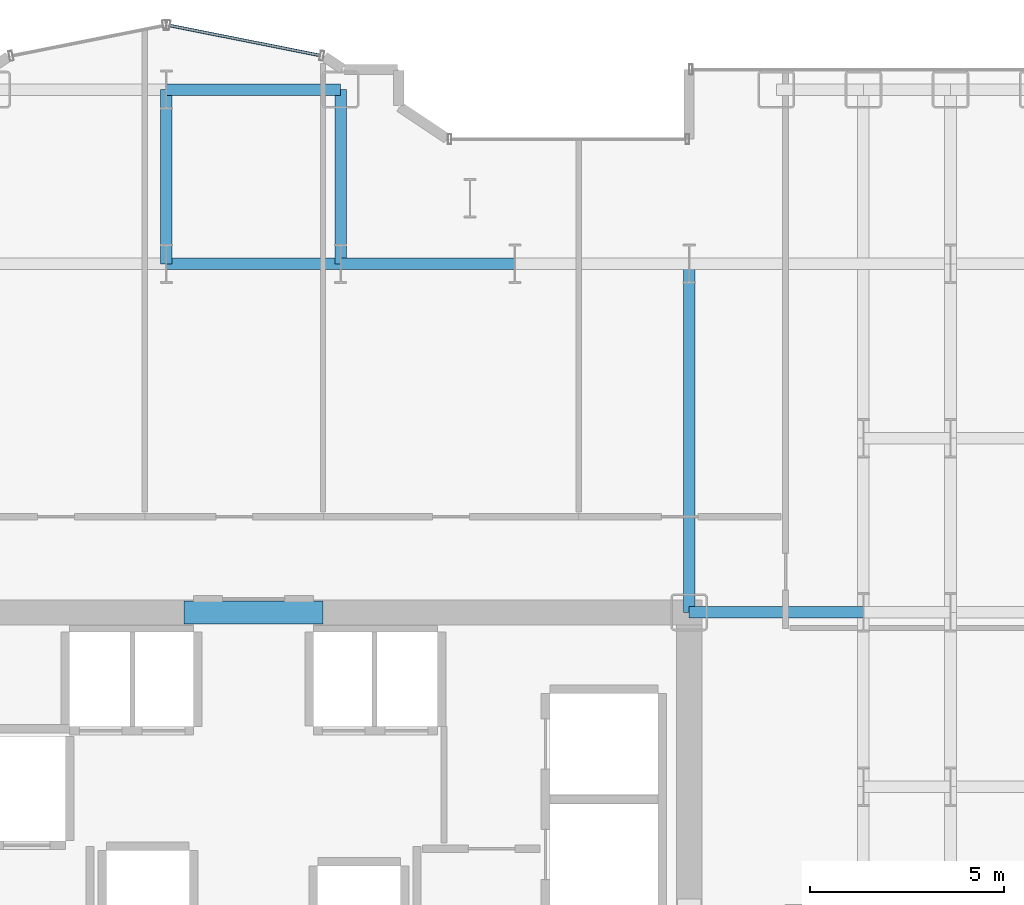
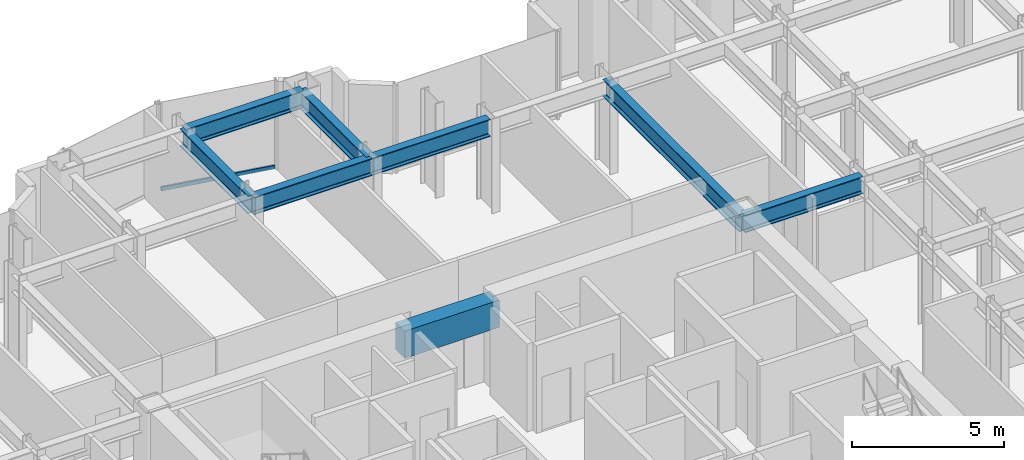
# One storey, part 11 of 25: 8 beams, 1 member, 1 element without a shape of its own.
"""IFC4 building model written with IfcOpenShell, lengths in metres."""

from ifc_helpers import new_model, si_unit, direction, frame, origin, origin_2d, place, context, subcontext, project, spatial, rectangle, hollow_rectangle, i_section, extrude, source, transform, mapped, material, layer, layer_set, material_profile, profile_set, type_object, element, aggregate, save


model = new_model("IFC4")

# Units and contexts
model_context = context("Model", 3, precision=1e-05, world=origin(), true_north=direction((0.0, 1.0)))
body_context = subcontext(model_context, "Body", "Model", "MODEL_VIEW")
ifc_project = project(units=[si_unit("LENGTHUNIT", "METRE"), si_unit("AREAUNIT", "SQUARE_METRE"), si_unit("VOLUMEUNIT", "CUBIC_METRE"), si_unit("PLANEANGLEUNIT", "RADIAN"), si_unit("MASSUNIT", "GRAM", prefix="KILO")], contexts=[model_context])

# Site, building, storey
site_placement = place(None, origin())
site = spatial("IfcSite", under=ifc_project, at=site_placement, CompositionType="ELEMENT")
building_placement = place(site_placement, origin())
building = spatial("IfcBuilding", under=site, at=building_placement, Name="Nefas-Gora Pilgrimage Tower", CompositionType="ELEMENT")
storey_placement = place(building_placement, frame((0.0, 0.0, 71.0)))
storey = spatial("IfcBuildingStorey", under=building, at=storey_placement, Name="L16", CompositionType="ELEMENT", Elevation=71.0)

# Beams
ifc_material_1 = material(Name="Concrete C60/75", Category="concrete")
ifc_material_profile_1 = material_profile(ifc_material_1, rectangle(XDim=0.60009765625, YDim=1.10009765625, at=origin_2d()), Name="RC 600x1100")
ifc_profile_set_1 = profile_set([ifc_material_profile_1], Name="Concrete C60/75")
beam_type_1 = type_object("IfcBeamType", Name="BM-LIN-RC1100", PredefinedType="LINTEL", material=ifc_profile_set_1)
shared_shape_1 = source(origin(), body_context, "Body", "SweptSolid", [
    extrude(rectangle(XDim=0.60009765625, YDim=1.10009765625, at=origin_2d()), origin(), (0.0, 0.0, 1.0), 3.60009765625),
])
beam_1_placement = place(storey_placement, frame((-1.800048828125, 9.0, 3.0), z_axis=(1.0, 0.0, 0.0), x_axis=(0.0, 1.0, 0.0)))
element("IfcBeam", 1, at=beam_1_placement, inside=storey, type_object=beam_type_1, Name="L16 Core Coupling Lintel Beam N", PredefinedType="LINTEL", context=body_context, shape_type="MappedRepresentation", body=[
    mapped(shared_shape_1, transform((0.0, 0.0, 0.0), x_axis=(1.0, 0.0, 0.0), y_axis=(0.0, 1.0, 0.0), z_axis=(0.0, 0.0, 1.0), scale=1.0)),
])
ifc_material_2 = material(Name="Steel S355", Category="steel")
ifc_material_profile_2 = material_profile(ifc_material_2, i_section(OverallWidth=0.300048828125, OverallDepth=0.699951171875, WebThickness=0.01708984375, FlangeThickness=0.031982421875, FilletRadius=0.027099609375, at=origin_2d()), Name="HEB 700")
ifc_profile_set_2 = profile_set([ifc_material_profile_2], Name="Steel S355")
beam_type_2 = type_object("IfcBeamType", Name="BM-GIR-HEB700", PredefinedType="BEAM", material=ifc_profile_set_2)
shared_shape_2 = source(origin(), body_context, "Body", "SweptSolid", [
    extrude(i_section(OverallWidth=0.300048828125, OverallDepth=0.699951171875, WebThickness=0.01708984375, FlangeThickness=0.031982421875, FilletRadius=0.027099609375, at=origin_2d()), origin(), (0.0, 0.0, 1.0), 9.0),
])
beam_2_placement = place(storey_placement, frame((11.25, 9.0, 3.199951171875), z_axis=(0.0, 1.0, 0.0), x_axis=(-1.0, 0.0, 0.0)))
element("IfcBeam", 2, at=beam_2_placement, inside=storey, type_object=beam_type_2, Name="L16 G-02 beam", PredefinedType="BEAM", context=body_context, shape_type="MappedRepresentation", body=[
    mapped(shared_shape_2, transform((0.0, 0.0, 0.0), x_axis=(1.0, 0.0, 0.0), y_axis=(0.0, 1.0, 0.0), z_axis=(0.0, 0.0, 1.0), scale=1.0)),
])
shared_shape_3 = source(origin(), body_context, "Body", "SweptSolid", [
    extrude(i_section(OverallWidth=0.300048828125, OverallDepth=0.699951171875, WebThickness=0.01708984375, FlangeThickness=0.031982421875, FilletRadius=0.027099609375, at=origin_2d()), origin(), (0.0, 0.0, 1.0), 4.5),
])
for number, where, z_axis, x_axis, name in (
    (3, (-2.25, 18.0, 3.199951171875), (0.0, 1.0, 0.0), (-1.0, 0.0, 0.0), "L16 G-02 beam"),
    (4, (-2.25, 18.0, 3.199951171875), (1.0, 0.0, 0.0), (0.0, 1.0, 0.0), "L16 G-02 beam"),
    (5, (-2.25, 22.5, 3.199951171875), (1.0, 0.0, 0.0), (0.0, 1.0, 0.0), "L16 G-02 beam"),
    (6, (2.25, 18.0, 3.199951171875), (0.0, 1.0, 0.0), (-1.0, 0.0, 0.0), "L16 G-02 beam"),
    (7, (2.25, 18.0, 3.199951171875), (1.0, 0.0, 0.0), (0.0, 1.0, 0.0), "L16 G-02 beam"),
    (8, (11.25, 9.0, 3.199951171875), (1.0, 0.0, 0.0), (0.0, 1.0, 0.0), "L16 G-02 beam"),
):
    element("IfcBeam", number, at=place(storey_placement, frame(where, z_axis=z_axis, x_axis=x_axis)), inside=storey, type_object=beam_type_2, Name=name, PredefinedType="BEAM", context=body_context, shape_type="MappedRepresentation", body=[
        mapped(shared_shape_3, transform((0.0, 0.0, 0.0), x_axis=(1.0, 0.0, 0.0), y_axis=(0.0, 1.0, 0.0), z_axis=(0.0, 0.0, 1.0), scale=1.0)),
    ])

# Curtain wall, member
ifc_material_3 = material(Name="Dark ceramic-fritted solar-control aluminium-glass curtain wall", Category="aluminium")
ifc_layer = layer(ifc_material_3, 0.219970703125)
ifc_layer_set = layer_set([ifc_layer], Name="Dark ceramic-fritted solar-control aluminium-glass curtain wall")
curtain_wall_type = type_object("IfcCurtainWallType", Name="CW-SYS-5", PredefinedType="NOTDEFINED", material=ifc_layer_set)
curtain_wall_placement = place(storey_placement, origin())
curtain_wall = element("IfcCurtainWall", 9, at=curtain_wall_placement, inside=storey, type_object=curtain_wall_type, Name="L16 Unitised Curtain Wall CW5", PredefinedType="NOTDEFINED")
ifc_material_4 = material(Name="Anodised architectural aluminium", Category="aluminium")
ifc_material_profile_3 = material_profile(ifc_material_4, hollow_rectangle(XDim=0.080078125, YDim=0.159912109375, WallThickness=0.00439453125, InnerFilletRadius=0.00439453125, OuterFilletRadius=0.009033203125, at=origin_2d()), Name="ALU TRANSOM 80x160")
ifc_profile_set_3 = profile_set([ifc_material_profile_3], Name="Anodised architectural aluminium")
member_type = type_object("IfcMemberType", Name="CWM-TRN-5", PredefinedType="USERDEFINED", material=ifc_profile_set_3)
shared_shape_4 = source(origin(), body_context, "Body", "SweptSolid", [
    extrude(hollow_rectangle(XDim=0.080078125, YDim=0.159912109375, WallThickness=0.00439453125, InnerFilletRadius=0.00439453125, OuterFilletRadius=0.009033203125, at=origin_2d()), origin(), (0.0, 0.0, 1.0), 3.95654296875),
])
member_placement = place(storey_placement, frame((1.718994140625, 23.3828125, 0.050048828125), z_axis=(-0.980781880918, 0.195107411605, 0.0), x_axis=(-0.195107411605, -0.980781880918, 0.0)))
member = element("IfcMember", 10, at=member_placement, type_object=member_type, Name="CW5 Spandrel Transom", ObjectType="TRANSOM", PredefinedType="USERDEFINED", context=body_context, shape_type="MappedRepresentation", body=[
    mapped(shared_shape_4, transform((0.0, 0.0, 0.0), x_axis=(1.0, 0.0, 0.0), y_axis=(0.0, 1.0, 0.0), z_axis=(0.0, 0.0, 1.0), scale=1.0)),
])
aggregate(curtain_wall, [member])

save(model, "model.ifc")
